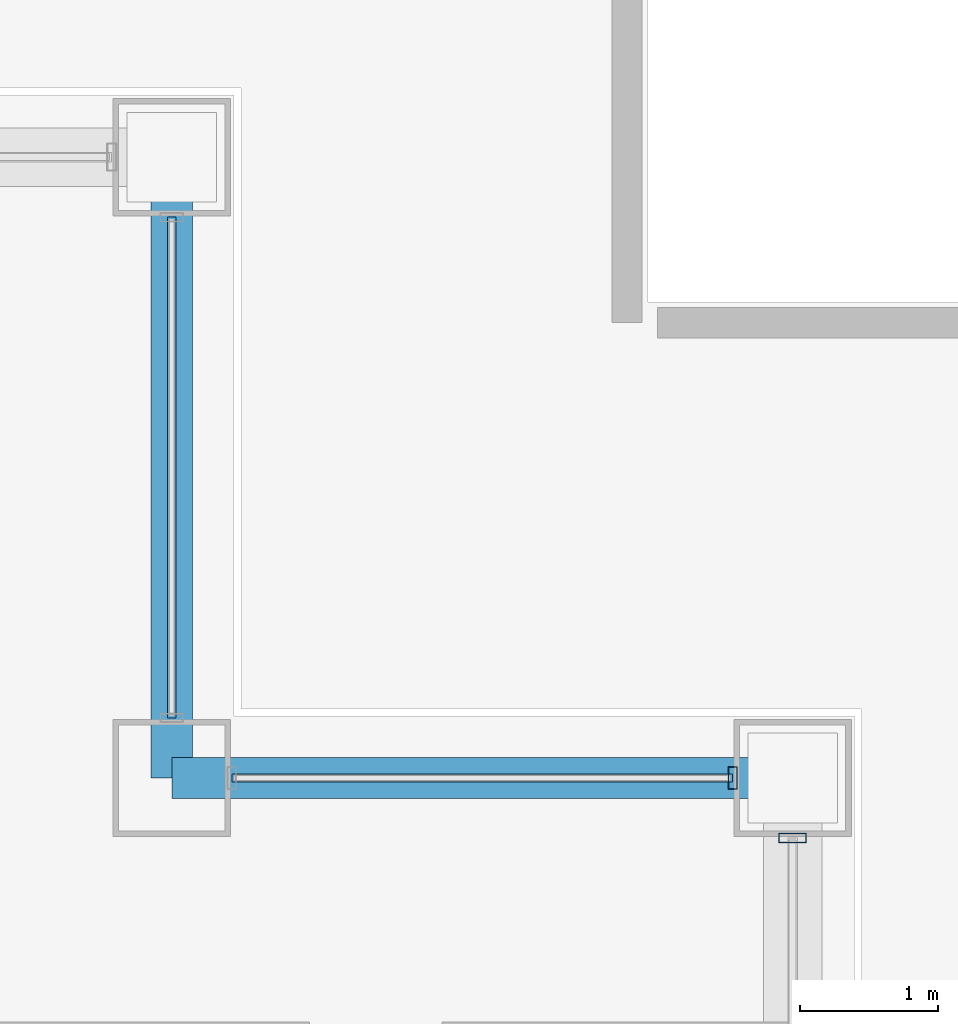
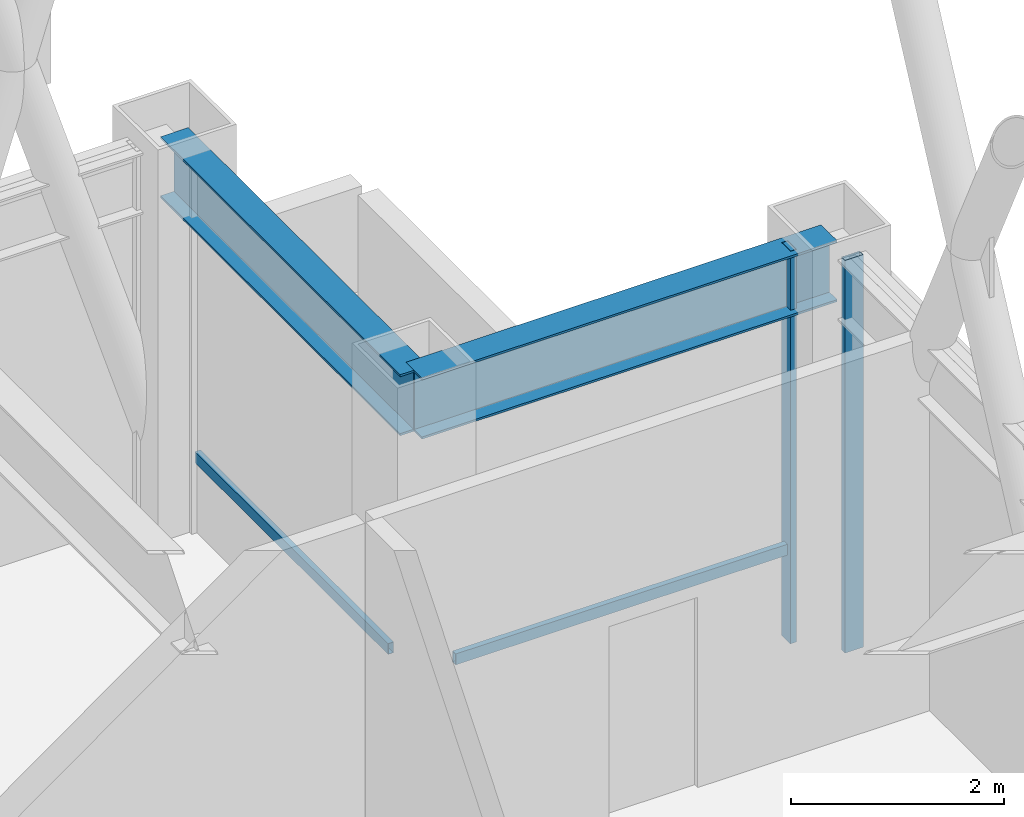
# One storey, part 25 of 32: 4 members, 2 beams, 3 elements without a shape of their own.
"""IFC4 building model written with IfcOpenShell, lengths in metres."""

from ifc_helpers import new_model, si_unit, direction, frame, origin, origin_2d, place, context, subcontext, project, spatial, hollow_rectangle, i_section, extrude, material, layer, layer_set, material_profile, profile_set, type_object, element, aggregate, save


model = new_model("IFC4")

# Units and contexts
model_context = context("Model", 3, precision=1e-05, world=origin(), true_north=direction((0.0, 1.0)))
body_context = subcontext(model_context, "Body", "Model", "MODEL_VIEW")
ifc_project = project(units=[si_unit("LENGTHUNIT", "METRE"), si_unit("AREAUNIT", "SQUARE_METRE"), si_unit("VOLUMEUNIT", "CUBIC_METRE"), si_unit("PLANEANGLEUNIT", "RADIAN"), si_unit("MASSUNIT", "GRAM", prefix="KILO")], contexts=[model_context])

# Site, building, storey
site_placement = place(None, origin())
site = spatial("IfcSite", under=ifc_project, at=site_placement, CompositionType="ELEMENT")
building_placement = place(site_placement, origin())
building = spatial("IfcBuilding", under=site, at=building_placement, Name="Brelmoor Portico Tower", CompositionType="ELEMENT")
storey_placement = place(building_placement, frame((0.0, 0.0, 87.300048828125)))
storey = spatial("IfcBuildingStorey", under=building, at=storey_placement, Name="L22", CompositionType="ELEMENT", Elevation=87.300048828125)

# Beams
ifc_material_1 = material(Name="Steel Q355B", Category="steel")
ifc_material_profile_1 = material_profile(ifc_material_1, i_section(OverallWidth=0.300048828125, OverallDepth=0.699951171875, WebThickness=0.012939453125, FlangeThickness=0.02392578125, at=origin_2d()), Name="HN 700x300x13x24")
ifc_profile_set_1 = profile_set([ifc_material_profile_1], Name="Steel Q355B")
beam_type = type_object("IfcBeamType", Name="BM-SP-700", PredefinedType="SPANDREL", material=ifc_profile_set_1)
for number, where, z_axis, x_axis, name in (
    (1, (18.050048828125, 15.050048828125, 3.949951171875), (1.0, 0.0, 0.0), (0.0, 1.0, 0.0), "L22 Perimeter Spandrel Beam SP-09"),
    (2, (18.050048828125, 15.050048828125, 3.949951171875), (0.0, 1.0, 0.0), (-1.0, 0.0, 0.0), "L22 Perimeter Spandrel Beam SP-21"),
):
    element("IfcBeam", number, at=place(storey_placement, frame(where, z_axis=z_axis, x_axis=x_axis)), inside=storey, type_object=beam_type, Name=name, PredefinedType="SPANDREL", context=body_context, shape_type="SweptSolid", body=[
        extrude(i_section(OverallWidth=0.300048828125, OverallDepth=0.699951171875, WebThickness=0.012939453125, FlangeThickness=0.02392578125, at=origin_2d()), origin(), (0.0, 0.0, 1.0), 4.5),
    ])

# Curtain wall, member
ifc_material_2 = material(Name="Anodised Aluminium Alloy 6063-T6", Category="aluminium")
ifc_layer_1 = layer(ifc_material_2, 0.179931640625)
ifc_layer_set_1 = layer_set([ifc_layer_1], Name="Anodised Aluminium Alloy 6063-T6")
curtain_wall_type_1 = type_object("IfcCurtainWallType", Name="CW-NOTCH-CHAMFER", PredefinedType="NOTDEFINED", material=ifc_layer_set_1)
curtain_wall_1_placement = place(storey_placement, origin())
curtain_wall_1 = element("IfcCurtainWall", 3, at=curtain_wall_1_placement, inside=storey, type_object=curtain_wall_type_1, Name="L22 Curtain Wall CWN-L22-NEH", PredefinedType="NOTDEFINED")
ifc_material_profile_2 = material_profile(ifc_material_2, hollow_rectangle(XDim=0.06494140625, YDim=0.1650390625, WallThickness=0.00390625, at=origin_2d()), Name="ALU MULLION 65x165")
ifc_profile_set_2 = profile_set([ifc_material_profile_2], Name="Anodised Aluminium Alloy 6063-T6")
member_type_1 = type_object("IfcMemberType", Name="MB-CW-MULL-165", PredefinedType="MULLION", material=ifc_profile_set_2)
member_1_placement = place(storey_placement, frame((22.114990234375, 15.050048828125, -0.199951171875), z_axis=(0.0, 0.0, 1.0), x_axis=(1.0, 0.0, 0.0)))
member_1 = element("IfcMember", 4, at=member_1_placement, type_object=member_type_1, Name="CWN-L22-NEH Mullion 01", PredefinedType="MULLION", context=body_context, shape_type="SweptSolid", body=[
    extrude(hollow_rectangle(XDim=0.06494140625, YDim=0.1650390625, WallThickness=0.00390625, at=origin_2d()), origin(), (0.0, 0.0, 1.0), 4.5),
])

ifc_layer_2 = layer(ifc_material_2, 0.179931640625)
ifc_layer_set_2 = layer_set([ifc_layer_2], Name="Anodised Aluminium Alloy 6063-T6")
curtain_wall_type_2 = type_object("IfcCurtainWallType", Name="CW-SKYLOBBY-XB", PredefinedType="NOTDEFINED", material=ifc_layer_set_2)
curtain_wall_2_placement = place(storey_placement, origin())
curtain_wall_2 = element("IfcCurtainWall", 5, at=curtain_wall_2_placement, inside=storey, type_object=curtain_wall_type_2, Name="L22 Curtain Wall CW-L22-04-3", PredefinedType="NOTDEFINED")
ifc_material_profile_3 = material_profile(ifc_material_2, hollow_rectangle(XDim=0.070068359375, YDim=0.199951171875, WallThickness=0.00439453125, at=origin_2d()), Name="ALU MULLION 70x200")
ifc_profile_set_3 = profile_set([ifc_material_profile_3], Name="Anodised Aluminium Alloy 6063-T6")
member_type_2 = type_object("IfcMemberType", Name="MB-CW-MULL-200", PredefinedType="MULLION", material=ifc_profile_set_3)
member_2_placement = place(storey_placement, frame((22.550048828125, 14.614990234375, -0.199951171875), z_axis=(0.0, 0.0, 1.0), x_axis=(0.0, 1.0, 0.0)))
member_2 = element("IfcMember", 6, at=member_2_placement, type_object=member_type_2, Name="CW-L22-04-3 Mullion 01", PredefinedType="MULLION", context=body_context, shape_type="SweptSolid", body=[
    extrude(hollow_rectangle(XDim=0.070068359375, YDim=0.199951171875, WallThickness=0.00439453125, at=origin_2d()), origin(), (0.0, 0.0, 1.0), 4.5),
])
aggregate(curtain_wall_2, [member_2])

# Member
ifc_material_profile_4 = material_profile(ifc_material_2, hollow_rectangle(XDim=0.06005859375, YDim=0.125, WallThickness=0.00341796875, at=origin_2d()), Name="ALU TRANSOM 60x125")
ifc_profile_set_4 = profile_set([ifc_material_profile_4], Name="Anodised Aluminium Alloy 6063-T6")
member_type_3 = type_object("IfcMemberType", Name="MB-CW-TRAN-125", PredefinedType="USERDEFINED", material=ifc_profile_set_4)
member_3_placement = place(storey_placement, frame((18.485107421875, 15.050048828125, 0.849853515625), z_axis=(1.0, 0.0, 0.0), x_axis=(0.0, 1.0, 0.0)))
member_3 = element("IfcMember", 7, at=member_3_placement, type_object=member_type_3, Name="CWN-L22-NEH Transom 1-00", ObjectType="TRANSOM", PredefinedType="USERDEFINED", context=body_context, shape_type="SweptSolid", body=[
    extrude(hollow_rectangle(XDim=0.06005859375, YDim=0.125, WallThickness=0.00341796875, at=origin_2d()), origin(), (0.0, 0.0, 1.0), 3.6298828125),
])

aggregate(curtain_wall_1, [member_1, member_3])

# Curtain wall, member
curtain_wall_3_placement = place(storey_placement, origin())
curtain_wall_3 = element("IfcCurtainWall", 8, at=curtain_wall_3_placement, inside=storey, type_object=curtain_wall_type_1, Name="L22 Curtain Wall CWN-L22-NEV", PredefinedType="NOTDEFINED")
member_4_placement = place(storey_placement, frame((18.050048828125, 15.485107421875, 0.849853515625), z_axis=(0.0, 1.0, 0.0), x_axis=(-1.0, 0.0, 0.0)))
member_4 = element("IfcMember", 9, at=member_4_placement, type_object=member_type_3, Name="CWN-L22-NEV Transom 1-00", ObjectType="TRANSOM", PredefinedType="USERDEFINED", context=body_context, shape_type="SweptSolid", body=[
    extrude(hollow_rectangle(XDim=0.06005859375, YDim=0.125, WallThickness=0.00341796875, at=origin_2d()), origin(), (0.0, 0.0, 1.0), 3.6298828125),
])
aggregate(curtain_wall_3, [member_4])

save(model, "model.ifc")
